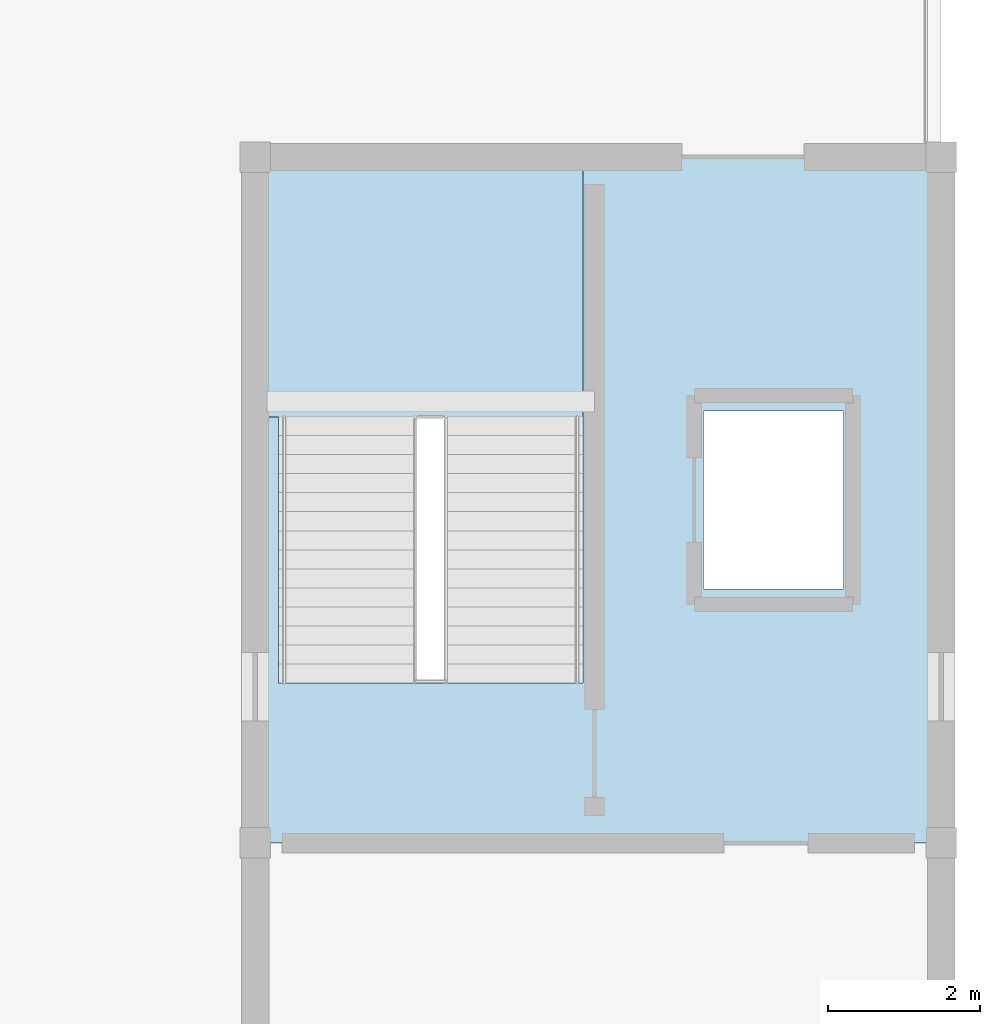
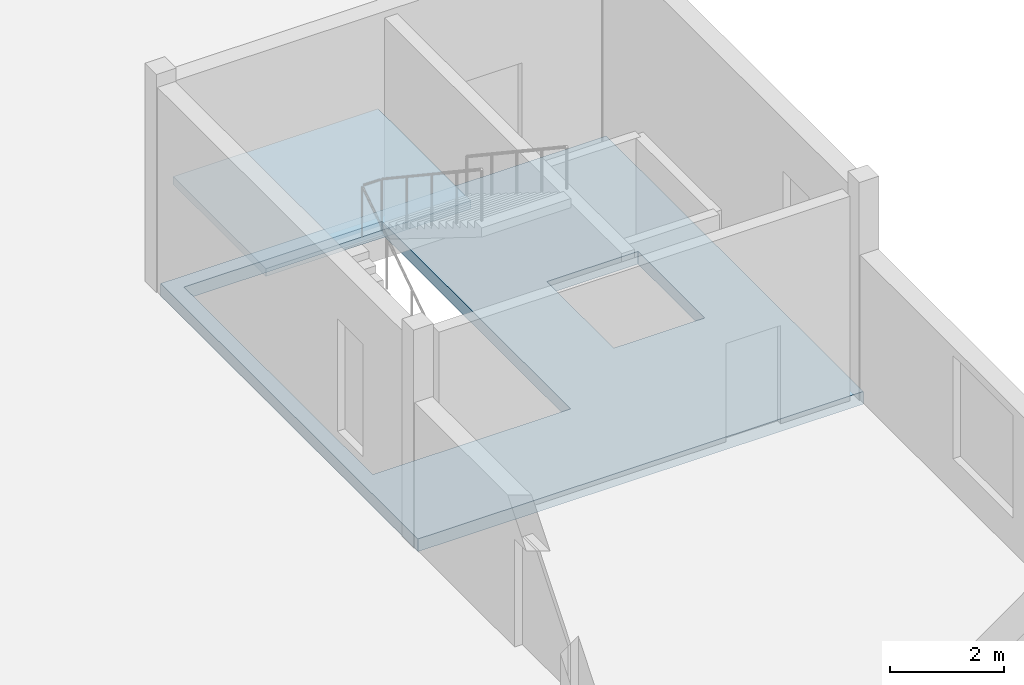
# One storey, part 18 of 30: 2 slabs, 1 element without a shape of its own.
"""IFC4 building model written with IfcOpenShell, lengths in metres."""

from ifc_helpers import new_model, si_unit, direction, frame, origin, place, context, subcontext, project, spatial, polyline, outline, extrude, material, layer, layer_set, type_object, element, aggregate, save


model = new_model("IFC4")

# Units and contexts
model_context = context("Model", 3, precision=1e-05, world=origin(), true_north=direction((0.0, 1.0)))
body_context = subcontext(model_context, "Body", "Model", "MODEL_VIEW")
ifc_project = project(units=[si_unit("LENGTHUNIT", "METRE"), si_unit("AREAUNIT", "SQUARE_METRE"), si_unit("VOLUMEUNIT", "CUBIC_METRE"), si_unit("PLANEANGLEUNIT", "RADIAN"), si_unit("MASSUNIT", "GRAM", prefix="KILO")], contexts=[model_context])

# Site, building, storey
site_placement = place(None, origin())
site = spatial("IfcSite", under=ifc_project, at=site_placement, CompositionType="ELEMENT")
building_placement = place(site_placement, origin())
building = spatial("IfcBuilding", under=site, at=building_placement, Name="Ornek Quay Market", CompositionType="ELEMENT")
storey_placement = place(building_placement, frame((0.0, 0.0, 12.0)))
storey = spatial("IfcBuildingStorey", under=building, at=storey_placement, Name="L03", CompositionType="ELEMENT", Elevation=12.0)

# Slab
ifc_material_1 = material(Name="Concrete C35/45", Category="concrete")
ifc_layer_1 = layer(ifc_material_1, 0.27001953125, Name="Concrete C35/45", Category="concrete")
ifc_layer_set_1 = layer_set([ifc_layer_1], Name="Concrete C35/45")
slab_type_1 = type_object("IfcSlabType", Name="SL-FLR-FC-270", PredefinedType="FLOOR", material=ifc_layer_set_1)
slab_1_placement = place(storey_placement, frame((0.0, 0.0, -0.27001953125)))
element("IfcSlab", 1, at=slab_1_placement, inside=storey, type_object=slab_type_1, Name="Slab S-062 (L03)", PredefinedType="FLOOR", context=body_context, shape_type="SweptSolid", body=[
    extrude(outline(polyline([(171.0, 92.0), (180.0, 92.0), (180.0, 101.0), (171.0, 101.0), (171.0, 92.0)]), holes=[polyline([(178.719970703125, 97.669921875), (178.719970703125, 95.330078125), (176.8798828125, 95.330078125), (176.8798828125, 97.669921875), (178.719970703125, 97.669921875)]), polyline([(175.300048828125, 100.699951171875), (175.300048828125, 94.10009765625), (171.300048828125, 94.10009765625), (171.300048828125, 100.699951171875), (175.300048828125, 100.699951171875)])]), origin(), (0.0, 0.0, 1.0), 0.27001953125),
])

# Stair, slab
ifc_material_2 = material(Name="Precast concrete C40/50", Category="concrete")
stair_type = type_object("IfcStairType", Name="ST-CORE-L03-RF", PredefinedType="HALF_TURN_STAIR", material=ifc_material_2)
stair_placement = place(storey_placement, origin())
stair = element("IfcStair", 2, at=stair_placement, inside=storey, type_object=stair_type, Name="Core stair ST-05-L03 (L03 to ROOF)", PredefinedType="HALF_TURN_STAIR")
ifc_layer_2 = layer(ifc_material_2, 0.1650390625, Name="Precast concrete C40/50", Category="concrete")
ifc_layer_set_2 = layer_set([ifc_layer_2], Name="Precast concrete C40/50")
slab_type_2 = type_object("IfcSlabType", Name="SL-LND-165", PredefinedType="LANDING", material=ifc_layer_set_2)
slab_2_placement = place(storey_placement, frame((0.0, 0.0, 2.159912109375)))
slab_2 = element("IfcSlab", 3, at=slab_2_placement, type_object=slab_type_2, Name="ST-05-L03 landing 1", PredefinedType="LANDING", context=body_context, shape_type="SweptSolid", body=[
    extrude(outline(polyline([(171.159912109375, 97.592041015625), (175.300048828125, 97.592041015625), (175.300048828125, 100.840087890625), (171.159912109375, 100.840087890625), (171.159912109375, 97.592041015625)])), origin(), (0.0, 0.0, 1.0), 0.1650390625),
])
aggregate(stair, [slab_2])

save(model, "model.ifc")
